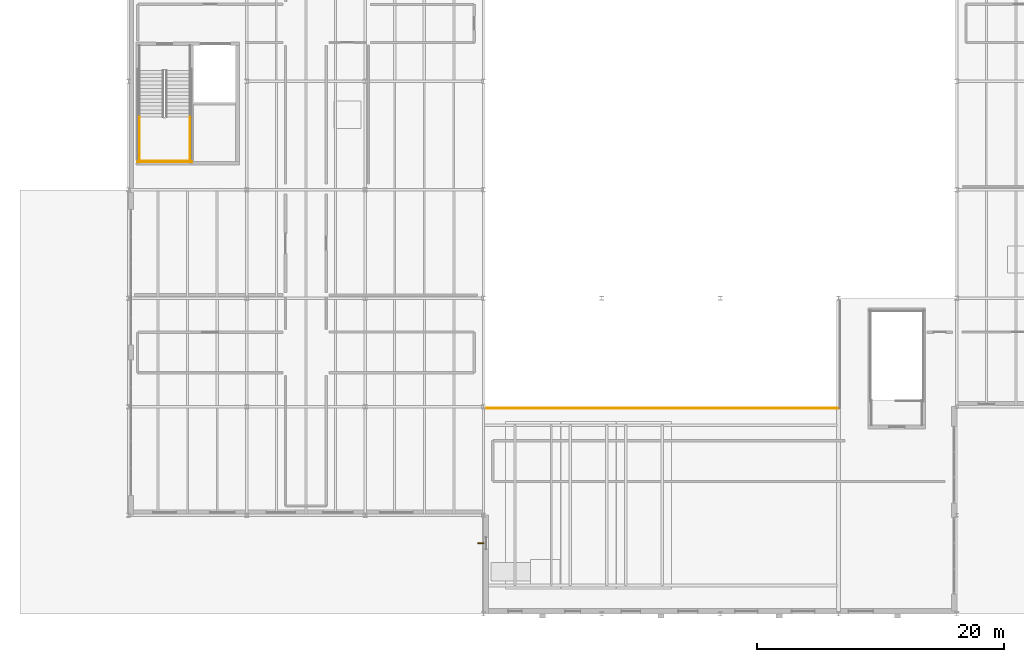
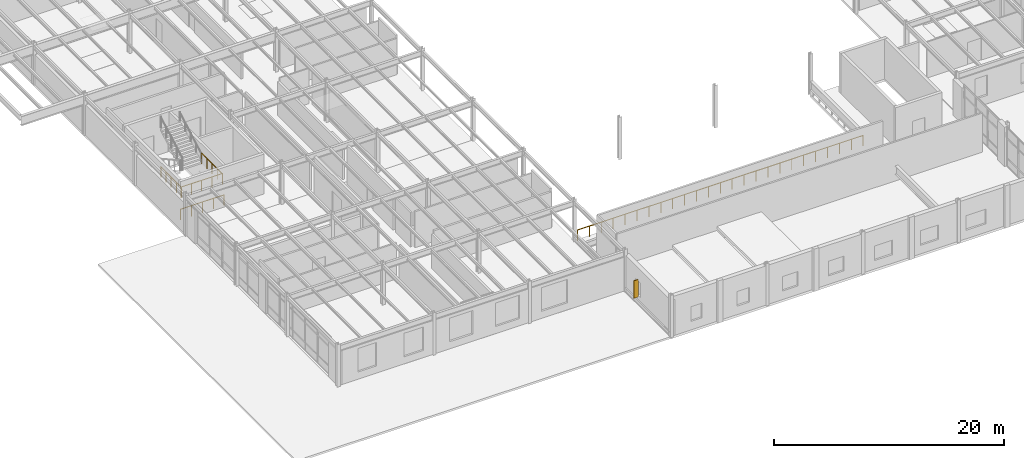
# One storey, part 65 of 77: 5 railings, 1 shading device.
"""IFC4 building model written with IfcOpenShell, lengths in metres."""

from ifc_helpers import new_model, si_unit, direction, frame, origin, origin_2d, place, context, subcontext, project, spatial, rectangle, circle, extrude, material, layer, layer_set, type_object, element, save


model = new_model("IFC4")

# Units and contexts
model_context = context("Model", 3, precision=1e-05, world=origin(), true_north=direction((0.0, 1.0)))
body_context = subcontext(model_context, "Body", "Model", "MODEL_VIEW")
ifc_project = project(units=[si_unit("LENGTHUNIT", "METRE"), si_unit("AREAUNIT", "SQUARE_METRE"), si_unit("VOLUMEUNIT", "CUBIC_METRE"), si_unit("PLANEANGLEUNIT", "RADIAN"), si_unit("MASSUNIT", "GRAM", prefix="KILO")], contexts=[model_context])

# Site, building, storey
site_placement = place(None, origin())
site = spatial("IfcSite", under=ifc_project, at=site_placement, CompositionType="ELEMENT")
building_placement = place(site_placement, origin())
building = spatial("IfcBuilding", under=site, at=building_placement, Name="Sarnbrook Museum", CompositionType="ELEMENT")
storey_placement = place(building_placement, frame((0.0, 0.0, 5.60009765625)))
storey = spatial("IfcBuildingStorey", under=building, at=storey_placement, Name="L01", CompositionType="ELEMENT", Elevation=5.60009765625)

# Railings
ifc_material_1 = material(Name="Brushed Stainless Steel Grade 316", Category="steel")
ifc_layer = layer(ifc_material_1, 0.050048828125)
ifc_layer_set = layer_set([ifc_layer], Name="Brushed Stainless Steel Grade 316")
railing_type = type_object("IfcRailingType", Name="Guard_Int1120", PredefinedType="BALUSTRADE", material=ifc_layer_set)
for number, where, name in (
    (1, (14.489990234375, 45.110107421875, 2.25), "L01 ST5 stair guard 3"),
    (2, (18.590087890625, 45.110107421875, 2.25), "L01 ST5 stair guard 4"),
):
    element("IfcRailing", number, at=place(storey_placement, frame(where)), inside=storey, type_object=railing_type, Name=name, PredefinedType="BALUSTRADE", context=body_context, shape_type="SweptSolid", body=[
        extrude(circle(Radius=0.02392578125, at=origin_2d()), frame((0.0, 0.0, 1.09619140625), z_axis=(0.0, -1.0, 0.0), x_axis=(1.0, 0.0, 0.0)), (0.0, 0.0, 1.0), 3.610107421875),
        extrude(circle(Radius=0.02099609375, at=origin_2d()), origin(), (0.0, 0.0, 1.0), 1.072021484375),
        extrude(circle(Radius=0.02099609375, at=origin_2d()), frame((0.0, -0.902587890625, 0.0)), (0.0, 0.0, 1.0), 1.072021484375),
        extrude(circle(Radius=0.02099609375, at=origin_2d()), frame((0.0, -1.80517578125, 0.0)), (0.0, 0.0, 1.0), 1.072021484375),
        extrude(circle(Radius=0.02099609375, at=origin_2d()), frame((0.0, -2.70751953125, 0.0)), (0.0, 0.0, 1.0), 1.072021484375),
        extrude(circle(Radius=0.02099609375, at=origin_2d()), frame((0.0, -3.610107421875, 0.0)), (0.0, 0.0, 1.0), 1.072021484375),
    ])
railing_1_placement = place(storey_placement, frame((14.43994140625, 41.550048828125, 2.25)))
element("IfcRailing", 3, at=railing_1_placement, inside=storey, type_object=railing_type, Name="L01 ST5 stair guard 5", PredefinedType="BALUSTRADE", context=body_context, shape_type="SweptSolid", body=[
    extrude(circle(Radius=0.02392578125, at=origin_2d()), frame((0.0, 0.0, 1.09619140625), z_axis=(1.0, 0.0, 0.0), x_axis=(0.0, 1.0, 0.0)), (0.0, 0.0, 1.0), 4.199951171875),
    extrude(circle(Radius=0.02099609375, at=origin_2d()), origin(), (0.0, 0.0, 1.0), 1.072021484375),
    extrude(circle(Radius=0.02099609375, at=origin_2d()), frame((1.050048828125, 0.0, 0.0)), (0.0, 0.0, 1.0), 1.072021484375),
    extrude(circle(Radius=0.02099609375, at=origin_2d()), frame((2.10009765625, 0.0, 0.0)), (0.0, 0.0, 1.0), 1.072021484375),
    extrude(circle(Radius=0.02099609375, at=origin_2d()), frame((3.14990234375, 0.0, 0.0)), (0.0, 0.0, 1.0), 1.072021484375),
    extrude(circle(Radius=0.02099609375, at=origin_2d()), frame((4.199951171875, 0.0, 0.0)), (0.0, 0.0, 1.0), 1.072021484375),
])
railing_2_placement = place(storey_placement, frame((14.340087890625, 41.449951171875, 0.0)))
element("IfcRailing", 4, at=railing_2_placement, inside=storey, type_object=railing_type, Name="L01 ST5 stair guard 12", PredefinedType="BALUSTRADE", context=body_context, shape_type="SweptSolid", body=[
    extrude(circle(Radius=0.02392578125, at=origin_2d()), frame((0.0, 0.0, 1.09619140625), z_axis=(1.0, 0.0, 0.0), x_axis=(0.0, 1.0, 0.0)), (0.0, 0.0, 1.0), 4.39990234375),
    extrude(circle(Radius=0.02099609375, at=origin_2d()), origin(), (0.0, 0.0, 1.0), 1.072021484375),
    extrude(circle(Radius=0.02099609375, at=origin_2d()), frame((1.10009765625, 0.0, 0.0)), (0.0, 0.0, 1.0), 1.072021484375),
    extrude(circle(Radius=0.02099609375, at=origin_2d()), frame((2.199951171875, 0.0, 0.0)), (0.0, 0.0, 1.0), 1.072021484375),
    extrude(circle(Radius=0.02099609375, at=origin_2d()), frame((3.2998046875, 0.0, 0.0)), (0.0, 0.0, 1.0), 1.072021484375),
    extrude(circle(Radius=0.02099609375, at=origin_2d()), frame((4.39990234375, 0.0, 0.0)), (0.0, 0.0, 1.0), 1.072021484375),
])
railing_3_placement = place(storey_placement, frame((42.64990234375, 21.47998046875, 0.0)))
element("IfcRailing", 5, at=railing_3_placement, inside=storey, type_object=railing_type, Name="Auditorium Balcony Guardrail L01-1", PredefinedType="BALUSTRADE", context=body_context, shape_type="SweptSolid", body=[
    extrude(circle(Radius=0.02392578125, at=origin_2d()), frame((0.0, 0.0, 1.09619140625), z_axis=(1.0, 0.0, 0.0), x_axis=(0.0, 1.0, 0.0)), (0.0, 0.0, 1.0), 28.670166015625),
    extrude(circle(Radius=0.02099609375, at=origin_2d()), origin(), (0.0, 0.0, 1.0), 1.072021484375),
    extrude(circle(Radius=0.02099609375, at=origin_2d()), frame((1.194580078125, 0.0, 0.0)), (0.0, 0.0, 1.0), 1.072021484375),
    extrude(circle(Radius=0.02099609375, at=origin_2d()), frame((2.38916015625, 0.0, 0.0)), (0.0, 0.0, 1.0), 1.072021484375),
    extrude(circle(Radius=0.02099609375, at=origin_2d()), frame((3.583740234375, 0.0, 0.0)), (0.0, 0.0, 1.0), 1.072021484375),
    extrude(circle(Radius=0.02099609375, at=origin_2d()), frame((4.7783203125, 0.0, 0.0)), (0.0, 0.0, 1.0), 1.072021484375),
    extrude(circle(Radius=0.02099609375, at=origin_2d()), frame((5.972900390625, 0.0, 0.0)), (0.0, 0.0, 1.0), 1.072021484375),
    extrude(circle(Radius=0.02099609375, at=origin_2d()), frame((7.16748046875, 0.0, 0.0)), (0.0, 0.0, 1.0), 1.072021484375),
    extrude(circle(Radius=0.02099609375, at=origin_2d()), frame((8.362060546875, 0.0, 0.0)), (0.0, 0.0, 1.0), 1.072021484375),
    extrude(circle(Radius=0.02099609375, at=origin_2d()), frame((9.556640625, 0.0, 0.0)), (0.0, 0.0, 1.0), 1.072021484375),
    extrude(circle(Radius=0.02099609375, at=origin_2d()), frame((10.751220703125, 0.0, 0.0)), (0.0, 0.0, 1.0), 1.072021484375),
    extrude(circle(Radius=0.02099609375, at=origin_2d()), frame((11.94580078125, 0.0, 0.0)), (0.0, 0.0, 1.0), 1.072021484375),
    extrude(circle(Radius=0.02099609375, at=origin_2d()), frame((13.140380859375, 0.0, 0.0)), (0.0, 0.0, 1.0), 1.072021484375),
    extrude(circle(Radius=0.02099609375, at=origin_2d()), frame((14.3349609375, 0.0, 0.0)), (0.0, 0.0, 1.0), 1.072021484375),
    extrude(circle(Radius=0.02099609375, at=origin_2d()), frame((15.52978515625, 0.0, 0.0)), (0.0, 0.0, 1.0), 1.072021484375),
    extrude(circle(Radius=0.02099609375, at=origin_2d()), frame((16.724365234375, 0.0, 0.0)), (0.0, 0.0, 1.0), 1.072021484375),
    extrude(circle(Radius=0.02099609375, at=origin_2d()), frame((17.9189453125, 0.0, 0.0)), (0.0, 0.0, 1.0), 1.072021484375),
    extrude(circle(Radius=0.02099609375, at=origin_2d()), frame((19.113525390625, 0.0, 0.0)), (0.0, 0.0, 1.0), 1.072021484375),
    extrude(circle(Radius=0.02099609375, at=origin_2d()), frame((20.30810546875, 0.0, 0.0)), (0.0, 0.0, 1.0), 1.072021484375),
    extrude(circle(Radius=0.02099609375, at=origin_2d()), frame((21.502685546875, 0.0, 0.0)), (0.0, 0.0, 1.0), 1.072021484375),
    extrude(circle(Radius=0.02099609375, at=origin_2d()), frame((22.697265625, 0.0, 0.0)), (0.0, 0.0, 1.0), 1.072021484375),
    extrude(circle(Radius=0.02099609375, at=origin_2d()), frame((23.891845703125, 0.0, 0.0)), (0.0, 0.0, 1.0), 1.072021484375),
    extrude(circle(Radius=0.02099609375, at=origin_2d()), frame((25.08642578125, 0.0, 0.0)), (0.0, 0.0, 1.0), 1.072021484375),
    extrude(circle(Radius=0.02099609375, at=origin_2d()), frame((26.281005859375, 0.0, 0.0)), (0.0, 0.0, 1.0), 1.072021484375),
    extrude(circle(Radius=0.02099609375, at=origin_2d()), frame((27.4755859375, 0.0, 0.0)), (0.0, 0.0, 1.0), 1.072021484375),
    extrude(circle(Radius=0.02099609375, at=origin_2d()), frame((28.670166015625, 0.0, 0.0)), (0.0, 0.0, 1.0), 1.072021484375),
])

# Shading device
ifc_material_2 = material(Name="Patinated Architectural Bronze")
shading_device_type = type_object("IfcShadingDeviceType", Name="SunFin_VerticalBronze", PredefinedType="USERDEFINED", material=ifc_material_2)
shading_device_placement = place(storey_placement, frame((42.179931640625, 10.52490234375, 0.749755859375), z_axis=(0.0, 0.0, 1.0), x_axis=(1.0, 0.0, 0.0)))
element("IfcShadingDevice", 6, at=shading_device_placement, inside=storey, type_object=shading_device_type, Name="Vertical Bronze Sun-Shading Fin SF-008", ObjectType="FIN", PredefinedType="USERDEFINED", context=body_context, shape_type="SweptSolid", body=[
    extrude(rectangle(XDim=0.449951171875, YDim=0.080078125, at=origin_2d()), origin(), (0.0, 0.0, 1.0), 1.85009765625),
])

save(model, "model.ifc")
